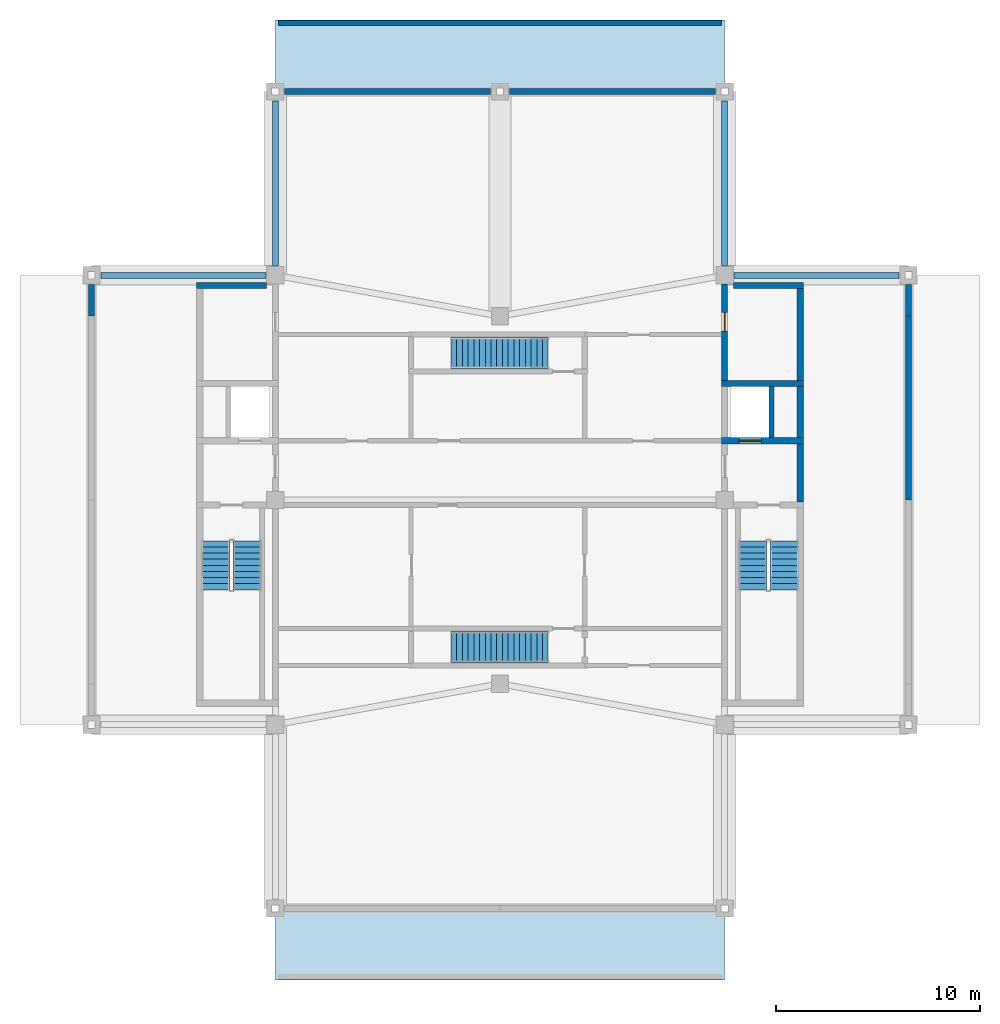
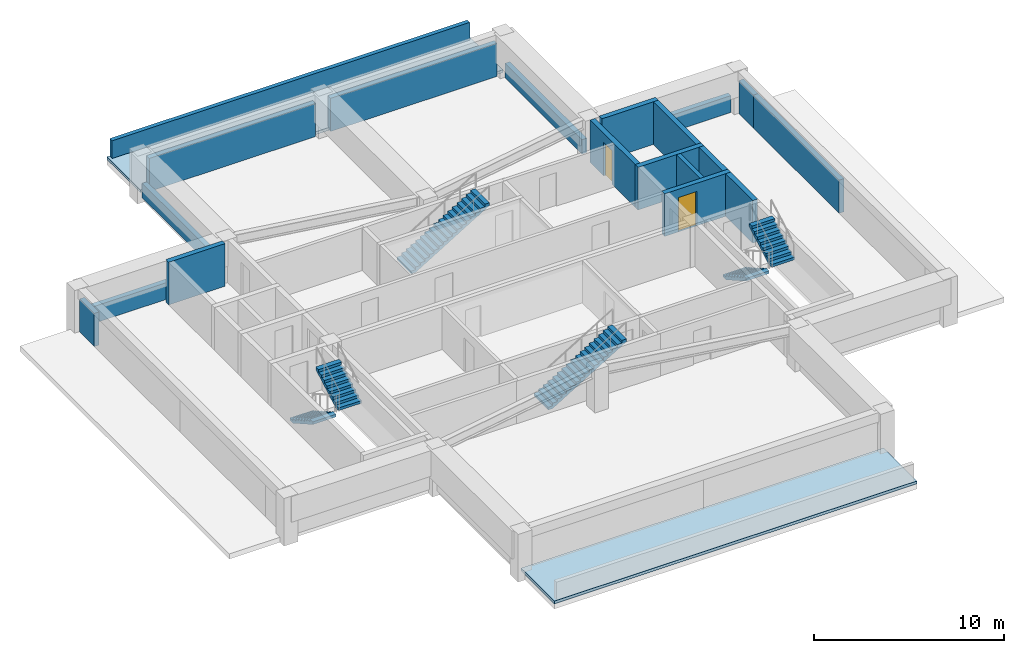
# One storey, part 3 of 4: 19 walls, 6 stair flights, 2 doors, 2 roofs, 2 openings, 4 elements without a shape of their own.
"""IFC4 building model written with IfcOpenShell, lengths in metres."""

from ifc_helpers import new_model, si_unit, direction, frame, frame_2d, origin, place, context, subcontext, project, spatial, polyline, rectangle, outline, extrude, material, layer, layer_set, type_object, element, fill, aggregate, save


model = new_model("IFC4")

# Units and contexts
model_context = context("Model", 3, precision=1e-05, world=origin(), true_north=direction((0.0, 1.0)))
body_context = subcontext(model_context, "Body", "Model", "MODEL_VIEW")
ifc_project = project(units=[si_unit("LENGTHUNIT", "METRE"), si_unit("AREAUNIT", "SQUARE_METRE"), si_unit("VOLUMEUNIT", "CUBIC_METRE"), si_unit("PLANEANGLEUNIT", "RADIAN"), si_unit("MASSUNIT", "GRAM", prefix="KILO")], contexts=[model_context])

# Site, building, storey
site_placement = place(None, origin())
site = spatial("IfcSite", under=ifc_project, at=site_placement, CompositionType="ELEMENT")
building_placement = place(site_placement, origin())
building = spatial("IfcBuilding", under=site, at=building_placement, Name="Zulmaris Gate Convention Tower", CompositionType="ELEMENT")
storey_placement = place(building_placement, frame((0.0, 0.0, 281.800048828125)))
storey = spatial("IfcBuildingStorey", under=building, at=storey_placement, Name="L75", CompositionType="ELEMENT", Elevation=281.800048828125)

# Wall
ifc_material_1 = material(Name="Concrete C50/60", Category="concrete")
ifc_layer_1 = layer(ifc_material_1, 0.25, Name="Concrete C50/60")
ifc_layer_set_1 = layer_set([ifc_layer_1], Name="Concrete C50/60")
wall_type_1 = type_object("IfcWallType", Name="CORE-250", PredefinedType="SOLIDWALL", material=ifc_layer_set_1)
wall_1_placement = place(storey_placement, frame((13.300048828125, 3.052001953125, 0.0), z_axis=(0.0, 0.0, 1.0), x_axis=(0.0, 1.0, 0.0)))
element("IfcWall", 1, at=wall_1_placement, inside=storey, type_object=wall_type_1, Name="WL-L75-042", PredefinedType="SOLIDWALL", context=body_context, shape_type="SweptSolid", body=[
    extrude(rectangle(XDim=2.49609375, YDim=0.25, at=frame_2d((1.248046875, 0.0))), origin(), (0.0, 0.0, 1.0), 2.73486328125),
])

# Wall, opening, door
ifc_layer_2 = layer(ifc_material_1, 0.300048828125, Name="Concrete C50/60")
ifc_layer_set_2 = layer_set([ifc_layer_2], Name="Concrete C50/60")
wall_type_2 = type_object("IfcWallType", Name="CORE-300", PredefinedType="SHEAR", material=ifc_layer_set_2)
wall_2_placement = place(storey_placement, frame((10.85009765625, 2.89990234375, 0.0), z_axis=(0.0, 0.0, 1.0), x_axis=(1.0, 0.0, 0.0)))
wall_2 = element("IfcWall", 2, at=wall_2_placement, inside=storey, type_object=wall_type_2, Name="WL-L75-008", PredefinedType="SHEAR", context=body_context, shape_type="SweptSolid", body=[
    extrude(rectangle(XDim=4.0, YDim=0.300048828125, at=frame_2d((2.0, 0.0))), origin(), (0.0, 0.0, 1.0), 2.73486328125),
])
opening_1_placement = place(wall_2_placement, frame((0.85009765625, 0.0, 0.0)))
opening_1 = element("IfcOpeningElement", 3, at=opening_1_placement, cuts=wall_2, Name="Opening D-06", PredefinedType="OPENING", context=body_context, shape_type="SweptSolid", body=[
    extrude(rectangle(XDim=1.10009765625, YDim=2.199951171875, at=frame_2d((0.550048828125, 1.10009765625))), frame((0.0, 0.16015625, 0.0), z_axis=(0.0, -1.0, 0.0), x_axis=(1.0, 0.0, 0.0)), (0.0, 0.0, 1.0), 0.320068359375),
])
ifc_material_2 = material(Name="Brushed Stainless Steel", Category="steel")
door_type_1 = type_object("IfcDoorType", Name="LD-1100", OperationType="NOTDEFINED", PredefinedType="DOOR", material=ifc_material_2)
door_1_placement = place(opening_1_placement, origin())
door_1 = element("IfcDoor", 4, at=door_1_placement, inside=storey, type_object=door_type_1, Name="L75 Lift Landing Door LF-02 06", OperationType="SLIDING_TO_RIGHT", OverallHeight=2.199951171875, OverallWidth=1.10009765625, PredefinedType="DOOR", context=body_context, shape_type="SweptSolid", body=[
    extrude(rectangle(XDim=1.10009765625, YDim=2.199951171875, at=frame_2d((0.550048828125, 1.10009765625))), frame((0.0, 0.02490234375, 0.0), z_axis=(0.0, -1.0, 0.0), x_axis=(1.0, 0.0, 0.0)), (0.0, 0.0, 1.0), 0.050048828125),
])
fill(opening_1, door_1)

# Walls
wall_3_placement = place(storey_placement, frame((10.85009765625, 5.699951171875, 0.0), z_axis=(0.0, 0.0, 1.0), x_axis=(1.0, 0.0, 0.0)))
element("IfcWall", 5, at=wall_3_placement, inside=storey, type_object=wall_type_2, Name="WL-L75-010", PredefinedType="SHEAR", context=body_context, shape_type="SweptSolid", body=[
    extrude(rectangle(XDim=4.0, YDim=0.300048828125, at=frame_2d((2.0, 0.0))), origin(), (0.0, 0.0, 1.0), 2.73486328125),
])
for number, where, z_axis, x_axis, name in (
    (6, (-14.85009765625, 10.5, 0.0), (0.0, 0.0, 1.0), (1.0, 0.0, 0.0), "WL-L75-013"),
    (7, (11.428955078125, 10.5, 0.0), (0.0, 0.0, 1.0), (1.0, 0.0, 0.0), "WL-L75-014"),
):
    element("IfcWall", number, at=place(storey_placement, frame(where, z_axis=z_axis, x_axis=x_axis)), inside=storey, type_object=wall_type_2, Name=name, PredefinedType="SHEAR", context=body_context, shape_type="SweptSolid", body=[
        extrude(rectangle(XDim=3.421142578125, YDim=0.300048828125, at=frame_2d((1.71044921875, 0.0))), origin(), (0.0, 0.0, 1.0), 2.73486328125),
    ])

# Wall, opening, door
wall_4_placement = place(storey_placement, frame((11.0, 5.85205078125, 0.0), z_axis=(0.0, 0.0, 1.0), x_axis=(0.0, 1.0, 0.0)))
wall_4 = element("IfcWall", 8, at=wall_4_placement, inside=storey, type_object=wall_type_2, Name="WL-L75-040", PredefinedType="SHEAR", context=body_context, shape_type="SweptSolid", body=[
    extrude(rectangle(XDim=4.718994140625, YDim=0.300048828125, at=frame_2d((2.359375, 0.0))), origin(), (0.0, 0.0, 1.0), 2.73486328125),
])
opening_2_placement = place(wall_4_placement, frame((2.41796875, 0.0, 0.0)))
opening_2 = element("IfcOpeningElement", 9, at=opening_2_placement, cuts=wall_4, Name="Opening D-12", PredefinedType="OPENING", context=body_context, shape_type="SweptSolid", body=[
    extrude(rectangle(XDim=0.89990234375, YDim=2.14990234375, at=frame_2d((0.449951171875, 1.074951171875))), frame((0.0, 0.16015625, 0.0), z_axis=(0.0, -1.0, 0.0), x_axis=(1.0, 0.0, 0.0)), (0.0, 0.0, 1.0), 0.320068359375),
])
ifc_material_3 = material(Name="Fire-Rated Timber", Category="wood")
door_type_2 = type_object("IfcDoorType", Name="DR-900-FD", OperationType="NOTDEFINED", PredefinedType="DOOR", material=ifc_material_3)
door_2_placement = place(opening_2_placement, origin())
door_2 = element("IfcDoor", 10, at=door_2_placement, inside=storey, type_object=door_type_2, Name="L75 Crown Telecom Door 08", OperationType="SINGLE_SWING_RIGHT", OverallHeight=2.14990234375, OverallWidth=0.89990234375, PredefinedType="DOOR", context=body_context, shape_type="SweptSolid", body=[
    extrude(rectangle(XDim=0.89990234375, YDim=2.14990234375, at=frame_2d((0.449951171875, 1.074951171875))), frame((0.0, 0.02490234375, 0.0), z_axis=(0.0, -1.0, 0.0), x_axis=(1.0, 0.0, 0.0)), (0.0, 0.0, 1.0), 0.050048828125),
])
fill(opening_2, door_2)

# Walls
wall_5_placement = place(storey_placement, frame((14.699951171875, -0.097900390625, 0.0), z_axis=(0.0, 0.0, 1.0), x_axis=(0.0, 1.0, 0.0)))
element("IfcWall", 11, at=wall_5_placement, inside=storey, type_object=wall_type_2, Name="WL-L75-044", PredefinedType="SHEAR", context=body_context, shape_type="SweptSolid", body=[
    extrude(rectangle(XDim=2.845947265625, YDim=0.300048828125, at=frame_2d((1.4228515625, 0.0))), origin(), (0.0, 0.0, 1.0), 2.73486328125),
])
wall_6_placement = place(storey_placement, frame((14.699951171875, 3.052001953125, 0.0), z_axis=(0.0, 0.0, 1.0), x_axis=(0.0, 1.0, 0.0)))
element("IfcWall", 12, at=wall_6_placement, inside=storey, type_object=wall_type_2, Name="WL-L75-045", PredefinedType="SHEAR", context=body_context, shape_type="SweptSolid", body=[
    extrude(rectangle(XDim=2.49609375, YDim=0.300048828125, at=frame_2d((1.248046875, 0.0))), origin(), (0.0, 0.0, 1.0), 2.73486328125),
])
wall_7_placement = place(storey_placement, frame((14.699951171875, 5.85205078125, 0.0), z_axis=(0.0, 0.0, 1.0), x_axis=(0.0, 1.0, 0.0)))
element("IfcWall", 13, at=wall_7_placement, inside=storey, type_object=wall_type_2, Name="WL-L75-046", PredefinedType="SHEAR", context=body_context, shape_type="SweptSolid", body=[
    extrude(rectangle(XDim=4.495849609375, YDim=0.300048828125, at=frame_2d((2.248046875, 0.0))), origin(), (0.0, 0.0, 1.0), 2.73486328125),
])
ifc_material_4 = material(Name="Precast concrete C40/50", Category="concrete")
ifc_layer_3 = layer(ifc_material_4, 0.300048828125, Name="Precast concrete C40/50")
ifc_layer_set_3 = layer_set([ifc_layer_3], Name="Precast concrete C40/50")
wall_type_3 = type_object("IfcWallType", Name="PRECAST-CROWN-300", PredefinedType="STANDARD", material=ifc_layer_set_3)
for number, where, z_axis, x_axis, name in (
    (14, (-0.455078125, 20.0, 0.0), (0.0, 0.0, 1.0), (-1.0, 0.0, 0.0), "EW-L75-CR-N0_0"),
    (15, (10.544921875, 20.0, 0.0), (0.0, 0.0, 1.0), (-1.0, 0.0, 0.0), "EW-L75-CR-N1_0"),
):
    element("IfcWall", number, at=place(storey_placement, frame(where, z_axis=z_axis, x_axis=x_axis)), inside=storey, type_object=wall_type_3, Name=name, PredefinedType="STANDARD", context=body_context, shape_type="SweptSolid", body=[
        extrude(rectangle(XDim=10.08984375, YDim=0.300048828125, at=frame_2d((5.044921875, 0.0))), origin(), (0.0, 0.0, 1.0), 2.126953125),
    ])
wall_8_placement = place(storey_placement, frame((20.0, 0.0, 0.0), z_axis=(0.0, 0.0, 1.0), x_axis=(0.0, 1.0, 0.0)))
element("IfcWall", 16, at=wall_8_placement, inside=storey, type_object=wall_type_3, Name="EW-L75-CR-E2_0", PredefinedType="STANDARD", context=body_context, shape_type="SweptSolid", body=[
    extrude(rectangle(XDim=9.0, YDim=0.300048828125, at=frame_2d((4.5, 0.0))), origin(), (0.0, 0.0, 1.0), 2.126953125),
])
for number, where, z_axis, x_axis, name in (
    (17, (20.0, 9.0, 0.0), (0.0, 0.0, 1.0), (0.0, 1.0, 0.0), "EW-L75-CR-E3_0"),
    (18, (-20.0, 10.544921875, 0.0), (0.0, 0.0, 1.0), (0.0, -1.0, 0.0), "EW-L75-CR-W3_0"),
):
    element("IfcWall", number, at=place(storey_placement, frame(where, z_axis=z_axis, x_axis=x_axis)), inside=storey, type_object=wall_type_3, Name=name, PredefinedType="STANDARD", context=body_context, shape_type="SweptSolid", body=[
        extrude(rectangle(XDim=1.544921875, YDim=0.300048828125, at=frame_2d((0.7724609375, 0.0))), origin(), (0.0, 0.0, 1.0), 2.126953125),
    ])
wall_9_placement = place(storey_placement, frame((19.544921875, 11.0, 0.0), z_axis=(0.0, 0.0, 1.0), x_axis=(-1.0, 0.0, 0.0)))
element("IfcWall", 19, at=wall_9_placement, inside=storey, type_object=wall_type_3, Name="EW-L75-CR-NE1_0", PredefinedType="STANDARD", context=body_context, shape_type="SweptSolid", body=[
    extrude(rectangle(XDim=8.08984375, YDim=0.300048828125, at=frame_2d((4.044921875, 0.0))), origin(), (0.0, 0.0, 1.0), 1.076904296875),
])
for number, where, z_axis, x_axis, name in (
    (20, (11.0, 11.455078125, 0.0), (0.0, 0.0, 1.0), (0.0, 1.0, 0.0), "EW-L75-CR-NE2_0"),
    (21, (-11.0, 19.544921875, 0.0), (0.0, 0.0, 1.0), (0.0, -1.0, 0.0), "EW-L75-CR-NW1_0"),
):
    element("IfcWall", number, at=place(storey_placement, frame(where, z_axis=z_axis, x_axis=x_axis)), inside=storey, type_object=wall_type_3, Name=name, PredefinedType="STANDARD", context=body_context, shape_type="SweptSolid", body=[
        extrude(rectangle(XDim=8.08984375, YDim=0.300048828125, at=frame_2d((4.044921875, 0.0))), origin(), (0.0, 0.0, 1.0), 0.9267578125),
    ])
wall_10_placement = place(storey_placement, frame((-11.455078125, 11.0, 0.0), z_axis=(0.0, 0.0, 1.0), x_axis=(-1.0, 0.0, 0.0)))
element("IfcWall", 22, at=wall_10_placement, inside=storey, type_object=wall_type_3, Name="EW-L75-CR-NW2_0", PredefinedType="STANDARD", context=body_context, shape_type="SweptSolid", body=[
    extrude(rectangle(XDim=8.08984375, YDim=0.300048828125, at=frame_2d((4.044921875, 0.0))), origin(), (0.0, 0.0, 1.0), 1.076904296875),
])
ifc_layer_4 = layer(ifc_material_4, 0.25, Name="Precast concrete C40/50")
ifc_layer_set_4 = layer_set([ifc_layer_4], Name="Precast concrete C40/50")
wall_type_4 = type_object("IfcWallType", Name="PRECAST-PARAPET-250", PredefinedType="PARAPET", material=ifc_layer_set_4)
wall_11_placement = place(storey_placement, frame((-10.85009765625, 23.35009765625, 0.179931640625), z_axis=(0.0, 0.0, 1.0), x_axis=(1.0, 0.0, 0.0)))
element("IfcWall", 23, at=wall_11_placement, inside=storey, type_object=wall_type_4, Name="PRP-L75-CROWN-N", PredefinedType="PARAPET", context=body_context, shape_type="SweptSolid", body=[
    extrude(rectangle(XDim=21.7001953125, YDim=0.25, at=frame_2d((10.85009765625, 0.0))), origin(), (0.0, 0.0, 1.0), 1.14013671875),
])

# Stair, stair flights
ifc_material_5 = material(Name="Concrete C45/55", Category="concrete")
stair_type_1 = type_object("IfcStairType", Name="ST-CORE-DOGLEG", PredefinedType="HALF_TURN_STAIR", material=ifc_material_5)
stair_1_placement = place(storey_placement, origin())
stair_1 = element("IfcStair", 24, at=stair_1_placement, inside=storey, type_object=stair_type_1, Name="L75 Core Exit Stair ST-1", PredefinedType="HALF_TURN_STAIR")
ifc_layer_5 = layer(ifc_material_5, 0.14990234375, Name="Concrete C45/55")
ifc_layer_set_5 = layer_set([ifc_layer_5], Name="Concrete C45/55")
stair_flight_type = type_object("IfcStairFlightType", Name="STF-RC150", PredefinedType="STRAIGHT", material=ifc_layer_set_5)
stair_flight_1_placement = place(storey_placement, frame((-13.919921875, -2.0, 0.0), z_axis=(0.0, 0.0, 1.0), x_axis=(0.0, -1.0, 0.0)))
stair_flight_1 = element("IfcStairFlight", 25, at=stair_flight_1_placement, type_object=stair_flight_type, Name="ST-1 flight 1", NumberOfRisers=9, NumberOfTreads=8, PredefinedType="STRAIGHT", RiserHeight=0.169994444, TreadLength=0.3, context=body_context, shape_type="SweptSolid", body=[
    extrude(outline(polyline([(0.0, 0.0), (0.0, 0.169921875), (0.300048828125, 0.169921875), (0.300048828125, 0.340087890625), (0.60009765625, 0.340087890625), (0.60009765625, 0.510009765625), (0.89990234375, 0.510009765625), (0.89990234375, 0.679931640625), (1.199951171875, 0.679931640625), (1.199951171875, 0.849853515625), (1.5, 0.849853515625), (1.5, 1.02001953125), (1.800048828125, 1.02001953125), (1.800048828125, 1.18994140625), (2.10009765625, 1.18994140625), (2.10009765625, 1.35986328125), (2.39990234375, 1.35986328125), (2.39990234375, 1.530029296875), (2.39990234375, 1.187744140625), (0.303955078125, 0.0), (0.0, 0.0)])), frame((0.0, 0.699951171875, 0.0), z_axis=(0.0, -1.0, 0.0), x_axis=(1.0, 0.0, 0.0)), (0.0, 0.0, 1.0), 1.39990234375),
])
stair_flight_2_placement = place(storey_placement, frame((-12.360107421875, -4.39990234375, 1.52978515625), z_axis=(0.0, 0.0, 1.0), x_axis=(0.0, 1.0, 0.0)))
stair_flight_2 = element("IfcStairFlight", 26, at=stair_flight_2_placement, type_object=stair_flight_type, Name="ST-1 flight 2", NumberOfRisers=9, NumberOfTreads=8, PredefinedType="STRAIGHT", RiserHeight=0.169994444, TreadLength=0.3, context=body_context, shape_type="SweptSolid", body=[
    extrude(outline(polyline([(0.0, 0.0), (0.0, 0.169921875), (0.300048828125, 0.169921875), (0.300048828125, 0.340087890625), (0.60009765625, 0.340087890625), (0.60009765625, 0.510009765625), (0.89990234375, 0.510009765625), (0.89990234375, 0.679931640625), (1.199951171875, 0.679931640625), (1.199951171875, 0.849853515625), (1.5, 0.849853515625), (1.5, 1.02001953125), (1.800048828125, 1.02001953125), (1.800048828125, 1.18994140625), (2.10009765625, 1.18994140625), (2.10009765625, 1.35986328125), (2.39990234375, 1.35986328125), (2.39990234375, 1.530029296875), (2.39990234375, 1.187744140625), (0.303955078125, 0.0), (0.0, 0.0)])), frame((0.0, 0.699951171875, 0.0), z_axis=(0.0, -1.0, 0.0), x_axis=(1.0, 0.0, 0.0)), (0.0, 0.0, 1.0), 1.39990234375),
])
aggregate(stair_1, [stair_flight_1, stair_flight_2])

stair_2_placement = place(storey_placement, origin())
stair_2 = element("IfcStair", 27, at=stair_2_placement, inside=storey, type_object=stair_type_1, Name="L75 Core Exit Stair ST-2", PredefinedType="HALF_TURN_STAIR")
stair_flight_3_placement = place(storey_placement, frame((12.360107421875, -2.0, 0.0), z_axis=(0.0, 0.0, 1.0), x_axis=(0.0, -1.0, 0.0)))
stair_flight_3 = element("IfcStairFlight", 28, at=stair_flight_3_placement, type_object=stair_flight_type, Name="ST-2 flight 1", NumberOfRisers=9, NumberOfTreads=8, PredefinedType="STRAIGHT", RiserHeight=0.169994444, TreadLength=0.3, context=body_context, shape_type="SweptSolid", body=[
    extrude(outline(polyline([(0.0, 0.0), (0.0, 0.169921875), (0.300048828125, 0.169921875), (0.300048828125, 0.340087890625), (0.60009765625, 0.340087890625), (0.60009765625, 0.510009765625), (0.89990234375, 0.510009765625), (0.89990234375, 0.679931640625), (1.199951171875, 0.679931640625), (1.199951171875, 0.849853515625), (1.5, 0.849853515625), (1.5, 1.02001953125), (1.800048828125, 1.02001953125), (1.800048828125, 1.18994140625), (2.10009765625, 1.18994140625), (2.10009765625, 1.35986328125), (2.39990234375, 1.35986328125), (2.39990234375, 1.530029296875), (2.39990234375, 1.187744140625), (0.303955078125, 0.0), (0.0, 0.0)])), frame((0.0, 0.699951171875, 0.0), z_axis=(0.0, -1.0, 0.0), x_axis=(1.0, 0.0, 0.0)), (0.0, 0.0, 1.0), 1.39990234375),
])
stair_flight_4_placement = place(storey_placement, frame((13.919921875, -4.39990234375, 1.52978515625), z_axis=(0.0, 0.0, 1.0), x_axis=(0.0, 1.0, 0.0)))
stair_flight_4 = element("IfcStairFlight", 29, at=stair_flight_4_placement, type_object=stair_flight_type, Name="ST-2 flight 2", NumberOfRisers=9, NumberOfTreads=8, PredefinedType="STRAIGHT", RiserHeight=0.169994444, TreadLength=0.3, context=body_context, shape_type="SweptSolid", body=[
    extrude(outline(polyline([(0.0, 0.0), (0.0, 0.169921875), (0.300048828125, 0.169921875), (0.300048828125, 0.340087890625), (0.60009765625, 0.340087890625), (0.60009765625, 0.510009765625), (0.89990234375, 0.510009765625), (0.89990234375, 0.679931640625), (1.199951171875, 0.679931640625), (1.199951171875, 0.849853515625), (1.5, 0.849853515625), (1.5, 1.02001953125), (1.800048828125, 1.02001953125), (1.800048828125, 1.18994140625), (2.10009765625, 1.18994140625), (2.10009765625, 1.35986328125), (2.39990234375, 1.35986328125), (2.39990234375, 1.530029296875), (2.39990234375, 1.187744140625), (0.303955078125, 0.0), (0.0, 0.0)])), frame((0.0, 0.699951171875, 0.0), z_axis=(0.0, -1.0, 0.0), x_axis=(1.0, 0.0, 0.0)), (0.0, 0.0, 1.0), 1.39990234375),
])
aggregate(stair_2, [stair_flight_3, stair_flight_4])

# Stair, stair flight
stair_type_2 = type_object("IfcStairType", Name="ST-CRN-STRAIGHT", PredefinedType="STRAIGHT_RUN_STAIR", material=ifc_material_5)
stair_3_placement = place(storey_placement, origin())
stair_3 = element("IfcStair", 30, at=stair_3_placement, inside=storey, type_object=stair_type_2, Name="L75 Crown Straight Stair ST-7", PredefinedType="STRAIGHT_RUN_STAIR")
stair_flight_5_placement = place(storey_placement, frame((-2.39990234375, -7.199951171875, 0.0), z_axis=(0.0, 0.0, 1.0), x_axis=(1.0, 0.0, 0.0)))
stair_flight_5 = element("IfcStairFlight", 31, at=stair_flight_5_placement, type_object=stair_flight_type, Name="ST-7 flight 1", NumberOfRisers=18, NumberOfTreads=17, PredefinedType="STRAIGHT", RiserHeight=0.169994444, TreadLength=0.28, context=body_context, shape_type="SweptSolid", body=[
    extrude(outline(polyline([(0.0, 0.0), (0.0, 0.169921875), (0.280029296875, 0.169921875), (0.280029296875, 0.340087890625), (0.56005859375, 0.340087890625), (0.56005859375, 0.510009765625), (0.840087890625, 0.510009765625), (0.840087890625, 0.679931640625), (1.1201171875, 0.679931640625), (1.1201171875, 0.849853515625), (1.39990234375, 0.849853515625), (1.39990234375, 1.02001953125), (1.679931640625, 1.02001953125), (1.679931640625, 1.18994140625), (1.9599609375, 1.18994140625), (1.9599609375, 1.35986328125), (2.239990234375, 1.35986328125), (2.239990234375, 1.530029296875), (2.52001953125, 1.530029296875), (2.52001953125, 1.699951171875), (2.800048828125, 1.699951171875), (2.800048828125, 1.869873046875), (3.080078125, 1.869873046875), (3.080078125, 2.0400390625), (3.360107421875, 2.0400390625), (3.360107421875, 2.2099609375), (3.639892578125, 2.2099609375), (3.639892578125, 2.3798828125), (3.919921875, 2.3798828125), (3.919921875, 2.5498046875), (4.199951171875, 2.5498046875), (4.199951171875, 2.719970703125), (4.47998046875, 2.719970703125), (4.47998046875, 2.889892578125), (4.760009765625, 2.889892578125), (4.760009765625, 3.059814453125), (4.760009765625, 2.714599609375), (0.288818359375, 0.0), (0.0, 0.0)])), frame((0.0, 0.75, 0.0), z_axis=(0.0, -1.0, 0.0), x_axis=(1.0, 0.0, 0.0)), (0.0, 0.0, 1.0), 1.5),
])
aggregate(stair_3, [stair_flight_5])

stair_4_placement = place(storey_placement, origin())
stair_4 = element("IfcStair", 32, at=stair_4_placement, inside=storey, type_object=stair_type_2, Name="L75 Crown Straight Stair ST-8", PredefinedType="STRAIGHT_RUN_STAIR")
stair_flight_6_placement = place(storey_placement, frame((-2.39990234375, 7.199951171875, 0.0), z_axis=(0.0, 0.0, 1.0), x_axis=(1.0, 0.0, 0.0)))
stair_flight_6 = element("IfcStairFlight", 33, at=stair_flight_6_placement, type_object=stair_flight_type, Name="ST-8 flight 1", NumberOfRisers=18, NumberOfTreads=17, PredefinedType="STRAIGHT", RiserHeight=0.169994444, TreadLength=0.28, context=body_context, shape_type="SweptSolid", body=[
    extrude(outline(polyline([(0.0, 0.0), (0.0, 0.169921875), (0.280029296875, 0.169921875), (0.280029296875, 0.340087890625), (0.56005859375, 0.340087890625), (0.56005859375, 0.510009765625), (0.840087890625, 0.510009765625), (0.840087890625, 0.679931640625), (1.1201171875, 0.679931640625), (1.1201171875, 0.849853515625), (1.39990234375, 0.849853515625), (1.39990234375, 1.02001953125), (1.679931640625, 1.02001953125), (1.679931640625, 1.18994140625), (1.9599609375, 1.18994140625), (1.9599609375, 1.35986328125), (2.239990234375, 1.35986328125), (2.239990234375, 1.530029296875), (2.52001953125, 1.530029296875), (2.52001953125, 1.699951171875), (2.800048828125, 1.699951171875), (2.800048828125, 1.869873046875), (3.080078125, 1.869873046875), (3.080078125, 2.0400390625), (3.360107421875, 2.0400390625), (3.360107421875, 2.2099609375), (3.639892578125, 2.2099609375), (3.639892578125, 2.3798828125), (3.919921875, 2.3798828125), (3.919921875, 2.5498046875), (4.199951171875, 2.5498046875), (4.199951171875, 2.719970703125), (4.47998046875, 2.719970703125), (4.47998046875, 2.889892578125), (4.760009765625, 2.889892578125), (4.760009765625, 3.059814453125), (4.760009765625, 2.714599609375), (0.288818359375, 0.0), (0.0, 0.0)])), frame((0.0, 0.75, 0.0), z_axis=(0.0, -1.0, 0.0), x_axis=(1.0, 0.0, 0.0)), (0.0, 0.0, 1.0), 1.5),
])
aggregate(stair_4, [stair_flight_6])

# Roofs
ifc_material_6 = material(Name="Concrete C40/50", Category="concrete")
ifc_layer_6 = layer(ifc_material_6, 0.219970703125, Name="Concrete C40/50")
ifc_layer_set_6 = layer_set([ifc_layer_6], Name="Concrete C40/50")
slab_type = type_object("IfcSlabType", Name="RF-MEMBRANE-220", PredefinedType="ROOF", material=ifc_layer_set_6)
roof_1_placement = place(storey_placement, origin())
element("IfcRoof", 34, at=roof_1_placement, inside=storey, type_object=slab_type, Name="RF-L75-CROWN-STEP-N", PredefinedType="FLAT_ROOF", context=body_context, shape_type="SweptSolid", body=[
    extrude(outline(polyline([(-11.0, 20.0), (11.0, 20.0), (11.0, 23.5), (-11.0, 23.5), (-11.0, 20.0)])), origin(), (0.0, 0.0, 1.0), 0.179931640625),
])
roof_2_placement = place(storey_placement, origin())
element("IfcRoof", 35, at=roof_2_placement, inside=storey, type_object=slab_type, Name="RF-L75-CROWN-STEP-S", PredefinedType="FLAT_ROOF", context=body_context, shape_type="SweptSolid", body=[
    extrude(outline(polyline([(-11.0, -23.5), (11.0, -23.5), (11.0, -20.0), (-11.0, -20.0), (-11.0, -23.5)])), origin(), (0.0, 0.0, 1.0), 0.179931640625),
])

save(model, "model.ifc")
